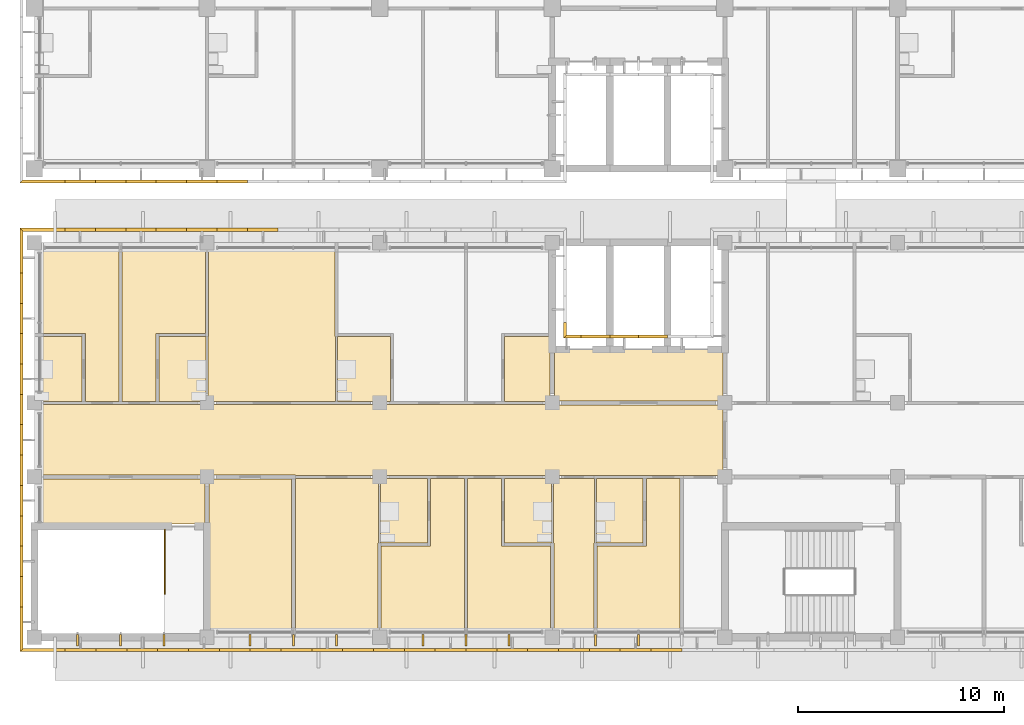
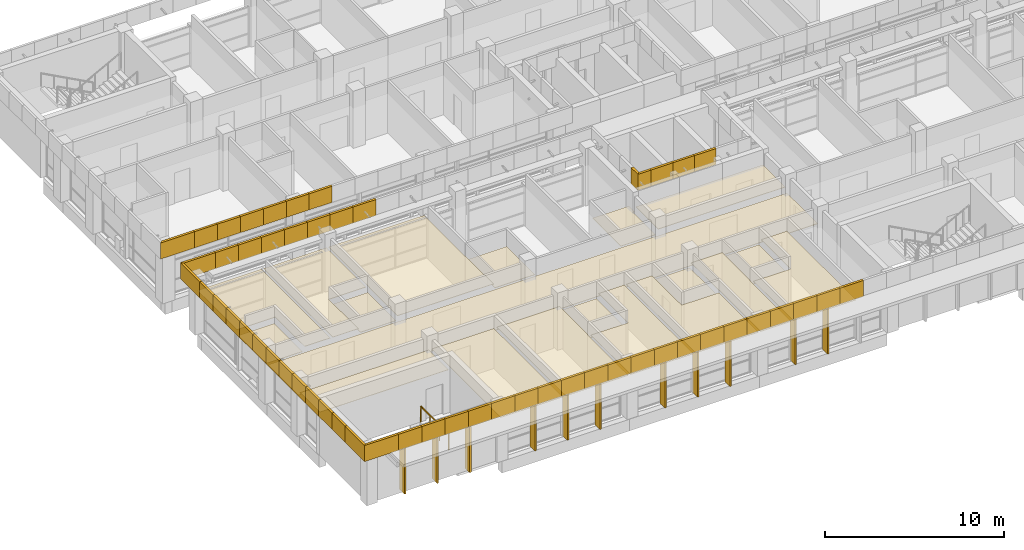
# One storey, part 59 of 71: 73 coverings, 11 shading devices, 1 railing.
"""IFC4 building model written with IfcOpenShell, lengths in metres."""

import ifcopenshell
import ifcopenshell.guid

model = None  # the IFC model being written
_history = None  # IfcOwnerHistory: only IFC2X3 demands one
_inside = {}  # id of a spatial element -> (the spatial element, [elements in it])
_under = {}  # id of a project, library or spatial element -> (it, [spatial elements below it])
_declared = {}  # id of a project -> (the project, [libraries it declares])
_typed = {}  # id of a type object -> (the type object, [elements of that type])
_made_of = {}  # id of a material, layer set ... -> (it, [elements and type objects made of it])


def new_model(schema):
    """Start an empty IFC model of exactly this schema.

    Asked for "IFC4X3", IfcOpenShell would pick the latest addendum, in which some entities
    have other attributes; the version numbers below select the first issue.
    IFC2X3 requires an IfcOwnerHistory on every rooted entity: one is made here for all.
    """
    global model, _history
    if schema == "IFC4X3":
        model = ifcopenshell.file(schema_version=(4, 3, 0, 0))
    else:
        model = ifcopenshell.file(schema=schema)
    _inside.clear()
    _under.clear()
    _declared.clear()
    _typed.clear()
    _made_of.clear()
    _history = None
    if model.schema == "IFC2X3":
        org = make("IfcOrganization", Name="unknown")
        user = make(
            "IfcPersonAndOrganization",
            ThePerson=make("IfcPerson", FamilyName="unknown"),
            TheOrganization=org,
        )
        app = make(
            "IfcApplication",
            ApplicationDeveloper=org,
            Version="unknown",
            ApplicationFullName="unknown",
            ApplicationIdentifier="unknown",
        )
        _history = make(
            "IfcOwnerHistory",
            OwningUser=user,
            OwningApplication=app,
            ChangeAction="ADDED",
            CreationDate=0,
        )
    return model


def make(cls, **values):
    """One entity of the class cls with the attributes given. An attribute that is None is left unset."""
    return model.create_entity(
        cls, **{name: value for name, value in values.items() if value is not None}
    )


def rooted(cls, **values):
    """An entity with a GlobalId (a new one), such as an element, a storey or a relation."""
    return make(cls, GlobalId=ifcopenshell.guid.new(), OwnerHistory=_history, **values)


def si_unit(unit_type, name, prefix=None):
    """IfcSIUnit, for example si_unit("LENGTHUNIT", "METRE", prefix="MILLI")."""
    return make("IfcSIUnit", UnitType=unit_type, Prefix=prefix, Name=name)


def assignment(units):
    """IfcUnitAssignment: the units of a project."""
    return None if units is None else make("IfcUnitAssignment", Units=units)


def point(xyz):
    """IfcCartesianPoint."""
    return None if xyz is None else make("IfcCartesianPoint", Coordinates=xyz)


def direction(xyz):
    """IfcDirection."""
    return None if xyz is None else make("IfcDirection", DirectionRatios=xyz)


def frame(location, z_axis=None, x_axis=None):
    """IfcAxis2Placement3D, a coordinate frame: its origin and axes. An axis left out is left unset."""
    return make(
        "IfcAxis2Placement3D",
        Location=point(location),
        Axis=direction(z_axis),
        RefDirection=direction(x_axis),
    )


def frame_2d(location, x_axis=None):
    """IfcAxis2Placement2D, a coordinate frame in the plane: its origin and x axis."""
    return make(
        "IfcAxis2Placement2D", Location=point(location), RefDirection=direction(x_axis)
    )


def origin():
    """The frame at (0, 0, 0) with its axes left unset."""
    return frame((0.0, 0.0, 0.0))


def origin_2d():
    """The frame at (0, 0) in the plane with its x axis left unset."""
    return frame_2d((0.0, 0.0))


def place(relative_to, where):
    """IfcLocalPlacement: puts the frame where relative to a parent placement (None: the world)."""
    return make(
        "IfcLocalPlacement", PlacementRelTo=relative_to, RelativePlacement=where
    )


def context(
    kind, dimensions, precision=None, world=None, true_north=None, identifier=None
):
    """IfcGeometricRepresentationContext, for example the 3D "Model" context."""
    return make(
        "IfcGeometricRepresentationContext",
        ContextIdentifier=identifier,
        ContextType=kind,
        CoordinateSpaceDimension=dimensions,
        Precision=precision,
        WorldCoordinateSystem=world,
        TrueNorth=true_north,
    )


def subcontext(parent, identifier, kind, view, scale=None):
    """IfcGeometricRepresentationSubContext, for example "Body" below "Model"."""
    return make(
        "IfcGeometricRepresentationSubContext",
        ContextIdentifier=identifier,
        ContextType=kind,
        ParentContext=parent,
        TargetScale=scale,
        TargetView=view,
    )


def project(units=None, contexts=None):
    """IfcProject with its units and contexts."""
    return rooted(
        "IfcProject",
        Name="project",
        RepresentationContexts=contexts,
        UnitsInContext=assignment(units),
    )


def spatial(cls, under=None, at=None, **own):
    """A site, building, storey or space (cls), placed at a placement, below another one or the project."""
    s = rooted(cls, ObjectPlacement=at, **own)
    if under is not None:
        _under.setdefault(under.id(), (under, []))[1].append(s)
    return s


def polyline(points):
    """IfcPolyline through the points."""
    return make("IfcPolyline", Points=[point(p) for p in points])


def profile(cls, at=None, kind="AREA", **sizes):
    """A parametric profile (cls). Its sizes go by their IFC names, for example OverallWidth=200.0."""
    return make(cls, ProfileType=kind, Position=at, **sizes)


def rectangle(**sizes):
    """IfcRectangleProfileDef."""
    return profile("IfcRectangleProfileDef", **sizes)


def circle(**sizes):
    """IfcCircleProfileDef."""
    return profile("IfcCircleProfileDef", **sizes)


def outline(outer, holes=None, kind="AREA"):
    """IfcArbitraryClosedProfileDef: a profile drawn as a closed curve; with holes, ...WithVoids."""
    if holes is None:
        return make("IfcArbitraryClosedProfileDef", ProfileType=kind, OuterCurve=outer)
    return make(
        "IfcArbitraryProfileDefWithVoids",
        ProfileType=kind,
        OuterCurve=outer,
        InnerCurves=holes,
    )


def extrude(swept, where, along, depth):
    """IfcExtrudedAreaSolid: the profile swept, set in the frame where, extruded along a direction by depth."""
    return make(
        "IfcExtrudedAreaSolid",
        SweptArea=swept,
        Position=where,
        ExtrudedDirection=direction(along),
        Depth=depth,
    )


def shape(context_of_items, identifier, shape_type, items):
    """IfcShapeRepresentation: the items that make up one representation, for example the "Body"."""
    return make(
        "IfcShapeRepresentation",
        ContextOfItems=context_of_items,
        RepresentationIdentifier=identifier,
        RepresentationType=shape_type,
        Items=items,
    )


def material(Name=None, Category=None):
    """IfcMaterial."""
    return make("IfcMaterial", Name=Name, Category=Category)


def layer(
    of_material, thickness, ventilated=None, Name=None, Category=None, Priority=None
):
    """IfcMaterialLayer: one layer of a wall or slab, of a material (None: an air gap)."""
    return make(
        "IfcMaterialLayer",
        Material=of_material,
        LayerThickness=thickness,
        IsVentilated=ventilated,
        Name=Name,
        Category=Category,
        Priority=Priority,
    )


def layer_set(layers, Name=None):
    """IfcMaterialLayerSet."""
    return make("IfcMaterialLayerSet", MaterialLayers=layers, LayerSetName=Name)


def material_profile(
    of_material, cross_section, Name=None, Category=None, Priority=None
):
    """IfcMaterialProfile: a cross section and its material."""
    return make(
        "IfcMaterialProfile",
        Name=Name,
        Material=of_material,
        Profile=cross_section,
        Priority=Priority,
        Category=Category,
    )


def profile_set(profiles, Name=None, composite=None):
    """IfcMaterialProfileSet."""
    return make(
        "IfcMaterialProfileSet",
        Name=Name,
        MaterialProfiles=profiles,
        CompositeProfile=composite,
    )


def made_of(thing, what):
    """Note that an element or type object is made of a material, layer set ...; save() writes the relation."""
    if what is not None:
        _made_of.setdefault(what.id(), (what, []))[1].append(thing)
    return thing


def type_object(cls, material=None, **own):
    """A type object (cls), such as IfcWallType, which elements share."""
    return made_of(rooted(cls, **own), material)


def element(
    cls,
    number,
    at=None,
    inside=None,
    cuts=None,
    type_object=None,
    material=None,
    context=None,
    identifier="Body",
    shape_type=None,
    held_by="IfcProductDefinitionShape",
    body=None,
    shapes=None,
    **own,
):
    """One element of the class cls, such as IfcWall. Its Tag is "e" and its number.

    at: its placement. inside: the storey or other place that contains it. cuts: it is an
    opening in that element (IfcRelVoidsElement). A single representation is given by context,
    identifier, shape_type and body (its items); several are given by shapes. held_by: the class
    of the entity that holds the representations. save() writes the other relations.
    """
    e = rooted(cls, Tag="e%d" % number, ObjectPlacement=at, **own)
    if body is not None:
        shapes = [shape(context, identifier, shape_type, body)]
    if shapes is not None:
        e.Representation = make(held_by, Representations=shapes)
    if inside is not None:
        _inside.setdefault(inside.id(), (inside, []))[1].append(e)
    if cuts is not None:
        rooted(
            "IfcRelVoidsElement", RelatingBuildingElement=cuts, RelatedOpeningElement=e
        )
    if type_object is not None:
        _typed.setdefault(type_object.id(), (type_object, []))[1].append(e)
    return made_of(e, material)


def aggregate(whole, parts):
    """IfcRelAggregates: a whole, such as a stair, and the parts it consists of."""
    return rooted("IfcRelAggregates", RelatingObject=whole, RelatedObjects=parts)


def save(model, path):
    """Write the relations noted so far, then the file.

    IfcRelAggregates (storeys below a building ...), IfcRelContainedInSpatialStructure (elements
    in a storey), IfcRelDefinesByType, IfcRelAssociatesMaterial and IfcRelDeclares: one each for
    every whole, place, type object, material and project.
    """
    for whole, parts in _under.values():
        aggregate(whole, parts)
    for where, things in _inside.values():
        rooted(
            "IfcRelContainedInSpatialStructure",
            RelatedElements=things,
            RelatingStructure=where,
        )
    for kind, things in _typed.values():
        rooted("IfcRelDefinesByType", RelatedObjects=things, RelatingType=kind)
    for what, things in _made_of.values():
        rooted("IfcRelAssociatesMaterial", RelatedObjects=things, RelatingMaterial=what)
    for by, libraries in _declared.values():
        rooted("IfcRelDeclares", RelatingContext=by, RelatedDefinitions=libraries)
    model.write(path)


model = new_model("IFC4")

# Units and contexts
model_context = context("Model", 3, precision=1e-05, world=origin(), true_north=direction((0.0, 1.0)))
body_context = subcontext(model_context, "Body", "Model", "MODEL_VIEW")
ifc_project = project(units=[si_unit("LENGTHUNIT", "METRE"), si_unit("AREAUNIT", "SQUARE_METRE"), si_unit("VOLUMEUNIT", "CUBIC_METRE"), si_unit("PLANEANGLEUNIT", "RADIAN"), si_unit("MASSUNIT", "GRAM", prefix="KILO")], contexts=[model_context])

# Site, building, storey
site_placement = place(None, origin())
site = spatial("IfcSite", under=ifc_project, at=site_placement, CompositionType="ELEMENT")
building_placement = place(site_placement, origin())
building = spatial("IfcBuilding", under=site, at=building_placement, Name="Bougainvillea Quay General Hospital", CompositionType="ELEMENT")
storey_placement = place(building_placement, frame((0.0, 0.0, 24.89990234375)))
storey = spatial("IfcBuildingStorey", under=building, at=storey_placement, Name="L05", CompositionType="ELEMENT", Elevation=24.89990234375)

# Coverings
ifc_material_1 = material(Name="Powder-coated aluminium fascia, white", Category="aluminium")
ifc_layer_1 = layer(ifc_material_1, 0.14990234375)
ifc_layer_set_1 = layer_set([ifc_layer_1], Name="Powder-coated aluminium fascia, white")
covering_type_1 = type_object("IfcCoveringType", Name="Aluminium fascia band white 150x1100", PredefinedType="CLADDING", material=ifc_layer_set_1)
covering_1_placement = place(storey_placement, frame((41.449951171875, 139.85009765625, 3.35009765625), z_axis=(0.0, 0.0, 1.0), x_axis=(1.0, 0.0, 0.0)))
element("IfcCovering", 1, at=covering_1_placement, inside=storey, type_object=covering_type_1, Name="Fascia band white e0 110", PredefinedType="CLADDING", context=body_context, shape_type="SweptSolid", body=[
    extrude(outline(polyline([(0.0, 0.0), (2.032470703125, 0.0), (2.032470703125, -0.150146484375), (-0.14990234375, -0.150146484375), (0.0, 0.0)])), origin(), (0.0, 0.0, 1.0), 1.10009765625),
])
covering_2_placement = place(storey_placement, frame((43.482421875, 139.85009765625, 3.35009765625), z_axis=(0.0, 0.0, 1.0), x_axis=(1.0, 0.0, 0.0)))
element("IfcCovering", 2, at=covering_2_placement, inside=storey, type_object=covering_type_1, Name="Fascia band white e0 111", PredefinedType="CLADDING", context=body_context, shape_type="SweptSolid", body=[
    extrude(outline(polyline([(0.0, 0.0), (1.482177734375, 0.0), (1.482177734375, -0.150146484375), (0.0, -0.150146484375), (0.0, 0.0)])), origin(), (0.0, 0.0, 1.0), 1.10009765625),
])
for number, where, z_axis, x_axis, name in (
    (3, (44.964599609375, 139.85009765625, 3.35009765625), (0.0, 0.0, 1.0), (1.0, 0.0, 0.0), "Fascia band white e0 112"),
    (4, (46.447021484375, 139.85009765625, 3.35009765625), (0.0, 0.0, 1.0), (1.0, 0.0, 0.0), "Fascia band white e0 113"),
    (5, (47.929443359375, 139.85009765625, 3.35009765625), (0.0, 0.0, 1.0), (1.0, 0.0, 0.0), "Fascia band white e0 114"),
):
    element("IfcCovering", number, at=place(storey_placement, frame(where, z_axis=z_axis, x_axis=x_axis)), inside=storey, type_object=covering_type_1, Name=name, PredefinedType="CLADDING", context=body_context, shape_type="SweptSolid", body=[
        extrude(outline(polyline([(0.0, 0.0), (1.482421875, 0.0), (1.482421875, -0.150146484375), (0.0, -0.150146484375), (0.0, 0.0)])), origin(), (0.0, 0.0, 1.0), 1.10009765625),
    ])
covering_3_placement = place(storey_placement, frame((49.411865234375, 139.85009765625, 3.35009765625), z_axis=(0.0, 0.0, 1.0), x_axis=(1.0, 0.0, 0.0)))
element("IfcCovering", 6, at=covering_3_placement, inside=storey, type_object=covering_type_1, Name="Fascia band white e0 115", PredefinedType="CLADDING", context=body_context, shape_type="SweptSolid", body=[
    extrude(outline(polyline([(0.0, 0.0), (1.482177734375, 0.0), (1.482177734375, -0.150146484375), (0.0, -0.150146484375), (0.0, 0.0)])), origin(), (0.0, 0.0, 1.0), 1.10009765625),
])
covering_4_placement = place(storey_placement, frame((50.89404296875, 139.85009765625, 3.35009765625), z_axis=(0.0, 0.0, 1.0), x_axis=(1.0, 0.0, 0.0)))
element("IfcCovering", 7, at=covering_4_placement, inside=storey, type_object=covering_type_1, Name="Fascia band white e0 116", PredefinedType="CLADDING", context=body_context, shape_type="SweptSolid", body=[
    extrude(outline(polyline([(0.0, 0.0), (1.482421875, 0.0), (1.482421875, -0.150146484375), (0.0, -0.150146484375), (0.0, 0.0)])), origin(), (0.0, 0.0, 1.0), 1.10009765625),
])
covering_5_placement = place(storey_placement, frame((41.449951171875, 137.35009765625, 3.35009765625), z_axis=(0.0, 0.0, 1.0), x_axis=(0.0, -1.0, 0.0)))
element("IfcCovering", 8, at=covering_5_placement, inside=storey, type_object=covering_type_1, Name="Fascia band white e0 1", PredefinedType="CLADDING", context=body_context, shape_type="SweptSolid", body=[
    extrude(outline(polyline([(0.0, 0.0), (2.027099609375, 0.0), (2.027099609375, -0.14990234375), (-0.14990234375, -0.14990234375), (0.0, 0.0)])), origin(), (0.0, 0.0, 1.0), 1.10009765625),
])
covering_6_placement = place(storey_placement, frame((41.449951171875, 135.322998046875, 3.35009765625), z_axis=(0.0, 0.0, 1.0), x_axis=(0.0, -1.0, 0.0)))
element("IfcCovering", 9, at=covering_6_placement, inside=storey, type_object=covering_type_1, Name="Fascia band white e0 2", PredefinedType="CLADDING", context=body_context, shape_type="SweptSolid", body=[
    extrude(outline(polyline([(0.0, 0.0), (1.476806640625, 0.0), (1.476806640625, -0.14990234375), (0.0, -0.14990234375), (0.0, 0.0)])), origin(), (0.0, 0.0, 1.0), 1.10009765625),
])
covering_7_placement = place(storey_placement, frame((41.449951171875, 133.84619140625, 3.35009765625), z_axis=(0.0, 0.0, 1.0), x_axis=(0.0, -1.0, 0.0)))
element("IfcCovering", 10, at=covering_7_placement, inside=storey, type_object=covering_type_1, Name="Fascia band white e0 3", PredefinedType="CLADDING", context=body_context, shape_type="SweptSolid", body=[
    extrude(outline(polyline([(0.0, 0.0), (1.47705078125, 0.0), (1.47705078125, -0.14990234375), (0.0, -0.14990234375), (0.0, 0.0)])), origin(), (0.0, 0.0, 1.0), 1.10009765625),
])
covering_8_placement = place(storey_placement, frame((41.449951171875, 132.369140625, 3.35009765625), z_axis=(0.0, 0.0, 1.0), x_axis=(0.0, -1.0, 0.0)))
element("IfcCovering", 11, at=covering_8_placement, inside=storey, type_object=covering_type_1, Name="Fascia band white e0 4", PredefinedType="CLADDING", context=body_context, shape_type="SweptSolid", body=[
    extrude(outline(polyline([(0.0, 0.0), (1.476806640625, 0.0), (1.476806640625, -0.14990234375), (0.0, -0.14990234375), (0.0, 0.0)])), origin(), (0.0, 0.0, 1.0), 1.10009765625),
])
covering_9_placement = place(storey_placement, frame((41.449951171875, 130.892333984375, 3.35009765625), z_axis=(0.0, 0.0, 1.0), x_axis=(0.0, -1.0, 0.0)))
element("IfcCovering", 12, at=covering_9_placement, inside=storey, type_object=covering_type_1, Name="Fascia band white e0 5", PredefinedType="CLADDING", context=body_context, shape_type="SweptSolid", body=[
    extrude(outline(polyline([(0.0, 0.0), (1.47705078125, 0.0), (1.47705078125, -0.14990234375), (0.0, -0.14990234375), (0.0, 0.0)])), origin(), (0.0, 0.0, 1.0), 1.10009765625),
])
covering_10_placement = place(storey_placement, frame((41.449951171875, 129.415283203125, 3.35009765625), z_axis=(0.0, 0.0, 1.0), x_axis=(0.0, -1.0, 0.0)))
element("IfcCovering", 13, at=covering_10_placement, inside=storey, type_object=covering_type_1, Name="Fascia band white e0 6", PredefinedType="CLADDING", context=body_context, shape_type="SweptSolid", body=[
    extrude(outline(polyline([(0.0, 0.0), (1.476806640625, 0.0), (1.476806640625, -0.14990234375), (0.0, -0.14990234375), (0.0, 0.0)])), origin(), (0.0, 0.0, 1.0), 1.10009765625),
])
covering_11_placement = place(storey_placement, frame((41.449951171875, 127.9384765625, 3.35009765625), z_axis=(0.0, 0.0, 1.0), x_axis=(0.0, -1.0, 0.0)))
element("IfcCovering", 14, at=covering_11_placement, inside=storey, type_object=covering_type_1, Name="Fascia band white e0 7", PredefinedType="CLADDING", context=body_context, shape_type="SweptSolid", body=[
    extrude(outline(polyline([(0.0, 0.0), (1.47705078125, 0.0), (1.47705078125, -0.14990234375), (0.0, -0.14990234375), (0.0, 0.0)])), origin(), (0.0, 0.0, 1.0), 1.10009765625),
])
for number, where, z_axis, x_axis, name in (
    (15, (41.449951171875, 126.46142578125, 3.35009765625), (0.0, 0.0, 1.0), (0.0, -1.0, 0.0), "Fascia band white e0 8"),
    (16, (41.449951171875, 124.984619140625, 3.35009765625), (0.0, 0.0, 1.0), (0.0, -1.0, 0.0), "Fascia band white e0 9"),
):
    element("IfcCovering", number, at=place(storey_placement, frame(where, z_axis=z_axis, x_axis=x_axis)), inside=storey, type_object=covering_type_1, Name=name, PredefinedType="CLADDING", context=body_context, shape_type="SweptSolid", body=[
        extrude(outline(polyline([(0.0, 0.0), (1.476806640625, 0.0), (1.476806640625, -0.14990234375), (0.0, -0.14990234375), (0.0, 0.0)])), origin(), (0.0, 0.0, 1.0), 1.10009765625),
    ])
covering_12_placement = place(storey_placement, frame((41.449951171875, 123.5078125, 3.35009765625), z_axis=(0.0, 0.0, 1.0), x_axis=(0.0, -1.0, 0.0)))
element("IfcCovering", 17, at=covering_12_placement, inside=storey, type_object=covering_type_1, Name="Fascia band white e0 10", PredefinedType="CLADDING", context=body_context, shape_type="SweptSolid", body=[
    extrude(outline(polyline([(0.0, 0.0), (1.47705078125, 0.0), (1.47705078125, -0.14990234375), (0.0, -0.14990234375), (0.0, 0.0)])), origin(), (0.0, 0.0, 1.0), 1.10009765625),
])
covering_13_placement = place(storey_placement, frame((41.449951171875, 122.03076171875, 3.35009765625), z_axis=(0.0, 0.0, 1.0), x_axis=(0.0, -1.0, 0.0)))
element("IfcCovering", 18, at=covering_13_placement, inside=storey, type_object=covering_type_1, Name="Fascia band white e0 11", PredefinedType="CLADDING", context=body_context, shape_type="SweptSolid", body=[
    extrude(outline(polyline([(0.0, 0.0), (1.476806640625, 0.0), (1.476806640625, -0.14990234375), (0.0, -0.14990234375), (0.0, 0.0)])), origin(), (0.0, 0.0, 1.0), 1.10009765625),
])
covering_14_placement = place(storey_placement, frame((41.449951171875, 120.553955078125, 3.35009765625), z_axis=(0.0, 0.0, 1.0), x_axis=(0.0, -1.0, 0.0)))
element("IfcCovering", 19, at=covering_14_placement, inside=storey, type_object=covering_type_1, Name="Fascia band white e0 12", PredefinedType="CLADDING", context=body_context, shape_type="SweptSolid", body=[
    extrude(outline(polyline([(0.0, 0.0), (1.47705078125, 0.0), (1.47705078125, -0.14990234375), (0.0, -0.14990234375), (0.0, 0.0)])), origin(), (0.0, 0.0, 1.0), 1.10009765625),
])
covering_15_placement = place(storey_placement, frame((41.449951171875, 119.076904296875, 3.35009765625), z_axis=(0.0, 0.0, 1.0), x_axis=(0.0, -1.0, 0.0)))
element("IfcCovering", 20, at=covering_15_placement, inside=storey, type_object=covering_type_1, Name="Fascia band white e0 13", PredefinedType="CLADDING", context=body_context, shape_type="SweptSolid", body=[
    extrude(outline(polyline([(0.0, 0.0), (2.02685546875, 0.0), (2.177001953125, -0.14990234375), (0.0, -0.14990234375), (0.0, 0.0)])), origin(), (0.0, 0.0, 1.0), 1.10009765625),
])
covering_16_placement = place(storey_placement, frame((41.449951171875, 117.050048828125, 3.35009765625), z_axis=(0.0, 0.0, 1.0), x_axis=(1.0, 0.0, 0.0)))
element("IfcCovering", 21, at=covering_16_placement, inside=storey, type_object=covering_type_1, Name="Fascia band white e0 14", PredefinedType="CLADDING", context=body_context, shape_type="SweptSolid", body=[
    extrude(outline(polyline([(0.0, 0.0), (2.050048828125, 0.0), (2.050048828125, -0.150146484375), (-0.14990234375, -0.150146484375), (0.0, 0.0)])), origin(), (0.0, 0.0, 1.0), 1.10009765625),
])
for number, where, z_axis, x_axis, name in (
    (22, (43.5, 117.050048828125, 3.35009765625), (0.0, 0.0, 1.0), (1.0, 0.0, 0.0), "Fascia band white e0 15"),
    (23, (45.0, 117.050048828125, 3.35009765625), (0.0, 0.0, 1.0), (1.0, 0.0, 0.0), "Fascia band white e0 16"),
    (24, (46.5, 117.050048828125, 3.35009765625), (0.0, 0.0, 1.0), (1.0, 0.0, 0.0), "Fascia band white e0 17"),
    (25, (48.0, 117.050048828125, 3.35009765625), (0.0, 0.0, 1.0), (1.0, 0.0, 0.0), "Fascia band white e0 18"),
    (26, (49.5, 117.050048828125, 3.35009765625), (0.0, 0.0, 1.0), (1.0, 0.0, 0.0), "Fascia band white e0 19"),
    (27, (51.0, 117.050048828125, 3.35009765625), (0.0, 0.0, 1.0), (1.0, 0.0, 0.0), "Fascia band white e0 20"),
    (28, (52.5, 117.050048828125, 3.35009765625), (0.0, 0.0, 1.0), (1.0, 0.0, 0.0), "Fascia band white e0 21"),
    (29, (54.0, 117.050048828125, 3.35009765625), (0.0, 0.0, 1.0), (1.0, 0.0, 0.0), "Fascia band white e0 22"),
    (30, (55.5, 117.050048828125, 3.35009765625), (0.0, 0.0, 1.0), (1.0, 0.0, 0.0), "Fascia band white e0 23"),
    (31, (57.0, 117.050048828125, 3.35009765625), (0.0, 0.0, 1.0), (1.0, 0.0, 0.0), "Fascia band white e0 24"),
    (32, (58.5, 117.050048828125, 3.35009765625), (0.0, 0.0, 1.0), (1.0, 0.0, 0.0), "Fascia band white e0 25"),
    (33, (60.0, 117.050048828125, 3.35009765625), (0.0, 0.0, 1.0), (1.0, 0.0, 0.0), "Fascia band white e0 26"),
    (34, (61.5, 117.050048828125, 3.35009765625), (0.0, 0.0, 1.0), (1.0, 0.0, 0.0), "Fascia band white e0 27"),
    (35, (63.0, 117.050048828125, 3.35009765625), (0.0, 0.0, 1.0), (1.0, 0.0, 0.0), "Fascia band white e0 28"),
    (36, (64.5, 117.050048828125, 3.35009765625), (0.0, 0.0, 1.0), (1.0, 0.0, 0.0), "Fascia band white e0 29"),
    (37, (66.0, 117.050048828125, 3.35009765625), (0.0, 0.0, 1.0), (1.0, 0.0, 0.0), "Fascia band white e0 30"),
    (38, (67.5, 117.050048828125, 3.35009765625), (0.0, 0.0, 1.0), (1.0, 0.0, 0.0), "Fascia band white e0 31"),
    (39, (69.0, 117.050048828125, 3.35009765625), (0.0, 0.0, 1.0), (1.0, 0.0, 0.0), "Fascia band white e0 32"),
    (40, (70.5, 117.050048828125, 3.35009765625), (0.0, 0.0, 1.0), (1.0, 0.0, 0.0), "Fascia band white e0 33"),
    (41, (72.0, 117.050048828125, 3.35009765625), (0.0, 0.0, 1.0), (1.0, 0.0, 0.0), "Fascia band white e0 34"),
):
    element("IfcCovering", number, at=place(storey_placement, frame(where, z_axis=z_axis, x_axis=x_axis)), inside=storey, type_object=covering_type_1, Name=name, PredefinedType="CLADDING", context=body_context, shape_type="SweptSolid", body=[
        extrude(outline(polyline([(0.0, 0.0), (1.5, 0.0), (1.5, -0.150146484375), (0.0, -0.150146484375), (0.0, 0.0)])), origin(), (0.0, 0.0, 1.0), 1.10009765625),
    ])
covering_17_placement = place(storey_placement, frame((72.800048828125, 132.14990234375, 3.35009765625), z_axis=(0.0, 0.0, 1.0), x_axis=(-1.0, 0.0, 0.0)))
element("IfcCovering", 42, at=covering_17_placement, inside=storey, type_object=covering_type_1, Name="Fascia band white e0 188", PredefinedType="CLADDING", context=body_context, shape_type="SweptSolid", body=[
    extrude(outline(polyline([(0.0, 0.0), (1.400146484375, 0.0), (1.400146484375, -0.150146484375), (0.0, -0.150146484375), (0.0, 0.0)])), origin(), (0.0, 0.0, 1.0), 1.10009765625),
])
for number, where, z_axis, x_axis, name in (
    (43, (71.39990234375, 132.14990234375, 3.35009765625), (0.0, 0.0, 1.0), (-1.0, 0.0, 0.0), "Fascia band white e0 189"),
    (44, (70.0, 132.14990234375, 3.35009765625), (0.0, 0.0, 1.0), (-1.0, 0.0, 0.0), "Fascia band white e0 190"),
):
    element("IfcCovering", number, at=place(storey_placement, frame(where, z_axis=z_axis, x_axis=x_axis)), inside=storey, type_object=covering_type_1, Name=name, PredefinedType="CLADDING", context=body_context, shape_type="SweptSolid", body=[
        extrude(outline(polyline([(0.0, 0.0), (1.39990234375, 0.0), (1.39990234375, -0.150146484375), (0.0, -0.150146484375), (0.0, 0.0)])), origin(), (0.0, 0.0, 1.0), 1.10009765625),
    ])
covering_18_placement = place(storey_placement, frame((68.60009765625, 132.14990234375, 3.35009765625), z_axis=(0.0, 0.0, 1.0), x_axis=(-1.0, 0.0, 0.0)))
element("IfcCovering", 45, at=covering_18_placement, inside=storey, type_object=covering_type_1, Name="Fascia band white e0 191", PredefinedType="CLADDING", context=body_context, shape_type="SweptSolid", body=[
    extrude(outline(polyline([(0.0, 0.0), (0.85009765625, 0.0), (0.7001953125, -0.150146484375), (0.0, -0.150146484375), (0.0, 0.0)])), origin(), (0.0, 0.0, 1.0), 1.10009765625),
])
covering_19_placement = place(storey_placement, frame((67.75, 132.14990234375, 3.35009765625), z_axis=(0.0, 0.0, 1.0), x_axis=(0.0, 1.0, 0.0)))
element("IfcCovering", 46, at=covering_19_placement, inside=storey, type_object=covering_type_1, Name="Fascia band white e0 192", PredefinedType="CLADDING", context=body_context, shape_type="SweptSolid", body=[
    extrude(outline(polyline([(0.0, 0.0), (0.75, 0.0), (0.75, -0.14990234375), (0.150146484375, -0.14990234375), (0.0, 0.0)])), origin(), (0.0, 0.0, 1.0), 1.10009765625),
])
for number, where, z_axis, x_axis, name in (
    (47, (53.85888671875, 137.35009765625, 3.35009765625), (0.0, 0.0, 1.0), (-1.0, 0.0, 0.0), "Fascia band white e0 205"),
    (48, (52.37646484375, 137.35009765625, 3.35009765625), (0.0, 0.0, 1.0), (-1.0, 0.0, 0.0), "Fascia band white e0 206"),
):
    element("IfcCovering", number, at=place(storey_placement, frame(where, z_axis=z_axis, x_axis=x_axis)), inside=storey, type_object=covering_type_1, Name=name, PredefinedType="CLADDING", context=body_context, shape_type="SweptSolid", body=[
        extrude(outline(polyline([(0.0, 0.0), (1.482421875, 0.0), (1.482421875, -0.14990234375), (0.0, -0.14990234375), (0.0, 0.0)])), origin(), (0.0, 0.0, 1.0), 1.10009765625),
    ])
covering_20_placement = place(storey_placement, frame((50.89404296875, 137.35009765625, 3.35009765625), z_axis=(0.0, 0.0, 1.0), x_axis=(-1.0, 0.0, 0.0)))
element("IfcCovering", 49, at=covering_20_placement, inside=storey, type_object=covering_type_1, Name="Fascia band white e0 207", PredefinedType="CLADDING", context=body_context, shape_type="SweptSolid", body=[
    extrude(outline(polyline([(0.0, 0.0), (1.482177734375, 0.0), (1.482177734375, -0.14990234375), (0.0, -0.14990234375), (0.0, 0.0)])), origin(), (0.0, 0.0, 1.0), 1.10009765625),
])
for number, where, z_axis, x_axis, name in (
    (50, (49.411865234375, 137.35009765625, 3.35009765625), (0.0, 0.0, 1.0), (-1.0, 0.0, 0.0), "Fascia band white e0 208"),
    (51, (47.929443359375, 137.35009765625, 3.35009765625), (0.0, 0.0, 1.0), (-1.0, 0.0, 0.0), "Fascia band white e0 209"),
    (52, (46.447021484375, 137.35009765625, 3.35009765625), (0.0, 0.0, 1.0), (-1.0, 0.0, 0.0), "Fascia band white e0 210"),
):
    element("IfcCovering", number, at=place(storey_placement, frame(where, z_axis=z_axis, x_axis=x_axis)), inside=storey, type_object=covering_type_1, Name=name, PredefinedType="CLADDING", context=body_context, shape_type="SweptSolid", body=[
        extrude(outline(polyline([(0.0, 0.0), (1.482421875, 0.0), (1.482421875, -0.14990234375), (0.0, -0.14990234375), (0.0, 0.0)])), origin(), (0.0, 0.0, 1.0), 1.10009765625),
    ])
covering_21_placement = place(storey_placement, frame((44.964599609375, 137.35009765625, 3.35009765625), z_axis=(0.0, 0.0, 1.0), x_axis=(-1.0, 0.0, 0.0)))
element("IfcCovering", 53, at=covering_21_placement, inside=storey, type_object=covering_type_1, Name="Fascia band white e0 211", PredefinedType="CLADDING", context=body_context, shape_type="SweptSolid", body=[
    extrude(outline(polyline([(0.0, 0.0), (1.482177734375, 0.0), (1.482177734375, -0.14990234375), (0.0, -0.14990234375), (0.0, 0.0)])), origin(), (0.0, 0.0, 1.0), 1.10009765625),
])
covering_22_placement = place(storey_placement, frame((43.482421875, 137.35009765625, 3.35009765625), z_axis=(0.0, 0.0, 1.0), x_axis=(-1.0, 0.0, 0.0)))
element("IfcCovering", 54, at=covering_22_placement, inside=storey, type_object=covering_type_1, Name="Fascia band white e0 212", PredefinedType="CLADDING", context=body_context, shape_type="SweptSolid", body=[
    extrude(outline(polyline([(0.0, 0.0), (2.032470703125, 0.0), (2.182373046875, -0.14990234375), (0.0, -0.14990234375), (0.0, 0.0)])), origin(), (0.0, 0.0, 1.0), 1.10009765625),
])

# Railing
ifc_material_2 = material(Name="Stainless steel 304 balustrade", Category="steel")
railing_type = type_object("IfcRailingType", Name="Stair guard 1100", PredefinedType="GUARDRAIL", material=ifc_material_2)
railing_placement = place(storey_placement, frame((48.35009765625, 122.824951171875, 0.0)))
element("IfcRailing", 55, at=railing_placement, inside=storey, type_object=railing_type, Name="L05 ST-B1 top well guard 1", PredefinedType="GUARDRAIL", context=body_context, shape_type="SweptSolid", body=[
    extrude(circle(Radius=0.02392578125, at=origin_2d()), frame((0.0, 0.0, 1.076171875), z_axis=(0.0, -1.0, 0.0), x_axis=(1.0, 0.0, 0.0)), (0.0, 0.0, 1.0), 3.125),
    extrude(circle(Radius=0.02099609375, at=origin_2d()), origin(), (0.0, 0.0, 1.0), 1.052001953125),
    extrude(circle(Radius=0.02099609375, at=origin_2d()), frame((0.0, -1.041748046875, 0.0)), (0.0, 0.0, 1.0), 1.052001953125),
    extrude(circle(Radius=0.02099609375, at=origin_2d()), frame((0.0, -2.083251953125, 0.0)), (0.0, 0.0, 1.0), 1.052001953125),
    extrude(circle(Radius=0.02099609375, at=origin_2d()), frame((0.0, -3.125, 0.0)), (0.0, 0.0, 1.0), 1.052001953125),
])

# Coverings
ifc_material_3 = material(Name="Mineral fibre ceiling tile")
ifc_layer_2 = layer(ifc_material_3, 0.030029296875)
ifc_layer_set_2 = layer_set([ifc_layer_2], Name="Mineral fibre ceiling tile")
covering_type_2 = type_object("IfcCoveringType", Name="Suspended ceiling mineral fibre tile", PredefinedType="CEILING", material=ifc_layer_set_2)
covering_23_placement = place(storey_placement, frame((0.0, 0.0, 2.7001953125)))
element("IfcCovering", 56, at=covering_23_placement, inside=storey, type_object=covering_type_2, Name="Ceiling Lift Lobby LB-B1 (Fire-fighting)", PredefinedType="CEILING", context=body_context, shape_type="SweptSolid", body=[
    extrude(outline(polyline([(67.300048828125, 131.60009765625), (67.300048828125, 129.10009765625), (75.5, 129.10009765625), (75.5, 131.60009765625), (67.300048828125, 131.60009765625)])), origin(), (0.0, 0.0, 1.0), 0.02978515625),
])
covering_24_placement = place(storey_placement, frame((0.0, 0.0, 2.7001953125)))
element("IfcCovering", 57, at=covering_24_placement, inside=storey, type_object=covering_type_2, Name="Ceiling Refuge Room RR-B1-L05", PredefinedType="CEILING", context=body_context, shape_type="SweptSolid", body=[
    extrude(outline(polyline([(54.5, 117.60009765625), (54.5, 125.300048828125), (50.5, 125.300048828125), (50.5, 117.60009765625), (54.5, 117.60009765625)])), origin(), (0.0, 0.0, 1.0), 0.02978515625),
])
covering_25_placement = place(storey_placement, frame((0.0, 0.0, 2.7001953125)))
element("IfcCovering", 58, at=covering_25_placement, inside=storey, type_object=covering_type_2, Name="Ceiling Smoke-proof Vestibule ST-B1", PredefinedType="CEILING", context=body_context, shape_type="SweptSolid", body=[
    extrude(outline(polyline([(42.0, 123.10009765625), (50.300048828125, 123.10009765625), (50.300048828125, 125.300048828125), (42.0, 125.300048828125), (42.0, 123.10009765625)])), origin(), (0.0, 0.0, 1.0), 0.02978515625),
])
covering_26_placement = place(storey_placement, frame((0.0, 0.0, 2.7001953125)))
element("IfcCovering", 59, at=covering_26_placement, inside=storey, type_object=covering_type_2, Name="Ceiling Patient Room 05B01", PredefinedType="CEILING", context=body_context, shape_type="SweptSolid", body=[
    extrude(outline(polyline([(42.0, 136.800048828125), (42.0, 132.375), (44.47509765625, 132.375), (44.47509765625, 129.074951171875), (46.125, 129.074951171875), (46.125, 136.800048828125), (42.0, 136.800048828125)])), origin(), (0.0, 0.0, 1.0), 0.02978515625),
])
covering_27_placement = place(storey_placement, frame((0.0, 0.0, 2.400146484375)))
element("IfcCovering", 60, at=covering_27_placement, inside=storey, type_object=covering_type_2, Name="Ceiling En-suite 05B01", PredefinedType="CEILING", context=body_context, shape_type="SweptSolid", body=[
    extrude(outline(polyline([(42.0, 129.074951171875), (44.324951171875, 129.074951171875), (44.324951171875, 132.22509765625), (42.0, 132.22509765625), (42.0, 129.074951171875)])), origin(), (0.0, 0.0, 1.0), 0.030029296875),
])
covering_28_placement = place(storey_placement, frame((0.0, 0.0, 2.7001953125)))
element("IfcCovering", 61, at=covering_28_placement, inside=storey, type_object=covering_type_2, Name="Ceiling Patient Room 05B02", PredefinedType="CEILING", context=body_context, shape_type="SweptSolid", body=[
    extrude(outline(polyline([(46.27490234375, 136.800048828125), (46.27490234375, 129.074951171875), (47.925048828125, 129.074951171875), (47.925048828125, 132.375), (50.324951171875, 132.375), (50.324951171875, 136.800048828125), (46.27490234375, 136.800048828125)])), origin(), (0.0, 0.0, 1.0), 0.02978515625),
])
covering_29_placement = place(storey_placement, frame((0.0, 0.0, 2.400146484375)))
element("IfcCovering", 62, at=covering_29_placement, inside=storey, type_object=covering_type_2, Name="Ceiling En-suite 05B02", PredefinedType="CEILING", context=body_context, shape_type="SweptSolid", body=[
    extrude(outline(polyline([(48.074951171875, 132.22509765625), (48.074951171875, 129.074951171875), (50.35009765625, 129.074951171875), (50.35009765625, 132.22509765625), (48.074951171875, 132.22509765625)])), origin(), (0.0, 0.0, 1.0), 0.030029296875),
])
covering_30_placement = place(storey_placement, frame((0.0, 0.0, 2.7001953125)))
element("IfcCovering", 63, at=covering_30_placement, inside=storey, type_object=covering_type_2, Name="Ceiling Nurses' Station 05B03", PredefinedType="CEILING", context=body_context, shape_type="SweptSolid", body=[
    extrude(outline(polyline([(50.47509765625, 136.800048828125), (50.47509765625, 132.22509765625), (50.449951171875, 132.22509765625), (50.449951171875, 129.074951171875), (56.64990234375, 129.074951171875), (56.64990234375, 132.22509765625), (56.625, 132.22509765625), (56.625, 136.800048828125), (50.47509765625, 136.800048828125)])), origin(), (0.0, 0.0, 1.0), 0.02978515625),
])
covering_31_placement = place(storey_placement, frame((0.0, 0.0, 2.400146484375)))
element("IfcCovering", 64, at=covering_31_placement, inside=storey, type_object=covering_type_2, Name="Ceiling En-suite 05B04", PredefinedType="CEILING", context=body_context, shape_type="SweptSolid", body=[
    extrude(outline(polyline([(56.75, 129.074951171875), (59.324951171875, 129.074951171875), (59.324951171875, 132.22509765625), (56.75, 132.22509765625), (56.75, 129.074951171875)])), origin(), (0.0, 0.0, 1.0), 0.030029296875),
])
covering_32_placement = place(storey_placement, frame((0.0, 0.0, 2.400146484375)))
element("IfcCovering", 65, at=covering_32_placement, inside=storey, type_object=covering_type_2, Name="Ceiling En-suite 05B05", PredefinedType="CEILING", context=body_context, shape_type="SweptSolid", body=[
    extrude(outline(polyline([(67.199951171875, 132.22509765625), (64.875, 132.22509765625), (64.875, 129.074951171875), (67.10009765625, 129.074951171875), (67.10009765625, 131.60009765625), (67.199951171875, 131.60009765625), (67.199951171875, 132.22509765625)])), origin(), (0.0, 0.0, 1.0), 0.030029296875),
])
covering_33_placement = place(storey_placement, frame((0.0, 0.0, 2.7001953125)))
element("IfcCovering", 66, at=covering_33_placement, inside=storey, type_object=covering_type_2, Name="Ceiling Treatment and Clean Utility Room 05B06", PredefinedType="CEILING", context=body_context, shape_type="SweptSolid", body=[
    extrude(outline(polyline([(58.72509765625, 117.60009765625), (58.72509765625, 122.175048828125), (58.75, 122.175048828125), (58.75, 125.324951171875), (54.699951171875, 125.324951171875), (54.699951171875, 117.60009765625), (58.72509765625, 117.60009765625)])), origin(), (0.0, 0.0, 1.0), 0.02978515625),
])
covering_34_placement = place(storey_placement, frame((0.0, 0.0, 2.7001953125)))
element("IfcCovering", 67, at=covering_34_placement, inside=storey, type_object=covering_type_2, Name="Ceiling Patient Room 05B07", PredefinedType="CEILING", context=body_context, shape_type="SweptSolid", body=[
    extrude(outline(polyline([(62.925048828125, 117.60009765625), (62.925048828125, 125.324951171875), (61.27490234375, 125.324951171875), (61.27490234375, 122.02490234375), (58.875, 122.02490234375), (58.875, 117.60009765625), (62.925048828125, 117.60009765625)])), origin(), (0.0, 0.0, 1.0), 0.02978515625),
])
covering_35_placement = place(storey_placement, frame((0.0, 0.0, 2.400146484375)))
element("IfcCovering", 68, at=covering_35_placement, inside=storey, type_object=covering_type_2, Name="Ceiling En-suite 05B07", PredefinedType="CEILING", context=body_context, shape_type="SweptSolid", body=[
    extrude(outline(polyline([(58.85009765625, 122.175048828125), (61.125, 122.175048828125), (61.125, 125.324951171875), (58.85009765625, 125.324951171875), (58.85009765625, 122.175048828125)])), origin(), (0.0, 0.0, 1.0), 0.030029296875),
])
covering_36_placement = place(storey_placement, frame((0.0, 0.0, 2.7001953125)))
element("IfcCovering", 69, at=covering_36_placement, inside=storey, type_object=covering_type_2, Name="Ceiling Patient Room 05B08", PredefinedType="CEILING", context=body_context, shape_type="SweptSolid", body=[
    extrude(outline(polyline([(67.125, 117.60009765625), (67.125, 122.02490234375), (64.72509765625, 122.02490234375), (64.72509765625, 125.324951171875), (63.074951171875, 125.324951171875), (63.074951171875, 117.60009765625), (67.125, 117.60009765625)])), origin(), (0.0, 0.0, 1.0), 0.02978515625),
])
covering_37_placement = place(storey_placement, frame((0.0, 0.0, 2.400146484375)))
element("IfcCovering", 70, at=covering_37_placement, inside=storey, type_object=covering_type_2, Name="Ceiling En-suite 05B08", PredefinedType="CEILING", context=body_context, shape_type="SweptSolid", body=[
    extrude(outline(polyline([(64.875, 122.175048828125), (67.14990234375, 122.175048828125), (67.14990234375, 125.324951171875), (64.875, 125.324951171875), (64.875, 122.175048828125)])), origin(), (0.0, 0.0, 1.0), 0.030029296875),
])
covering_38_placement = place(storey_placement, frame((0.0, 0.0, 2.7001953125)))
element("IfcCovering", 71, at=covering_38_placement, inside=storey, type_object=covering_type_2, Name="Ceiling Dirty Utility and Sluice Room 05B09", PredefinedType="CEILING", context=body_context, shape_type="SweptSolid", body=[
    extrude(outline(polyline([(69.22509765625, 117.60009765625), (69.22509765625, 122.175048828125), (69.25, 122.175048828125), (69.25, 125.324951171875), (67.25, 125.324951171875), (67.25, 122.175048828125), (67.27490234375, 122.175048828125), (67.27490234375, 117.60009765625), (69.22509765625, 117.60009765625)])), origin(), (0.0, 0.0, 1.0), 0.02978515625),
])
covering_39_placement = place(storey_placement, frame((0.0, 0.0, 2.7001953125)))
element("IfcCovering", 72, at=covering_39_placement, inside=storey, type_object=covering_type_2, Name="Ceiling Patient Room 05B10", PredefinedType="CEILING", context=body_context, shape_type="SweptSolid", body=[
    extrude(outline(polyline([(73.425048828125, 117.60009765625), (73.425048828125, 125.324951171875), (71.77490234375, 125.324951171875), (71.77490234375, 122.02490234375), (69.375, 122.02490234375), (69.375, 117.60009765625), (73.425048828125, 117.60009765625)])), origin(), (0.0, 0.0, 1.0), 0.02978515625),
])
covering_40_placement = place(storey_placement, frame((0.0, 0.0, 2.400146484375)))
element("IfcCovering", 73, at=covering_40_placement, inside=storey, type_object=covering_type_2, Name="Ceiling En-suite 05B10", PredefinedType="CEILING", context=body_context, shape_type="SweptSolid", body=[
    extrude(outline(polyline([(69.35009765625, 125.324951171875), (69.35009765625, 122.175048828125), (71.625, 122.175048828125), (71.625, 125.324951171875), (69.35009765625, 125.324951171875)])), origin(), (0.0, 0.0, 1.0), 0.030029296875),
])
covering_41_placement = place(storey_placement, frame((0.0, 0.0, 2.400146484375)))
element("IfcCovering", 74, at=covering_41_placement, inside=storey, type_object=covering_type_2, Name="Ceiling Ward Corridor B1", PredefinedType="CEILING", context=body_context, shape_type="SweptSolid", body=[
    extrude(outline(polyline([(42.0, 125.5), (54.699951171875, 125.5), (54.699951171875, 125.47509765625), (75.5, 125.47509765625), (75.5, 128.89990234375), (67.10009765625, 128.89990234375), (67.10009765625, 128.925048828125), (42.0, 128.925048828125), (42.0, 125.5)])), origin(), (0.0, 0.0, 1.0), 0.030029296875),
])

# Shading devices
ifc_material_4 = material(Name="Powder-coated aluminium fin, white", Category="aluminium")
ifc_material_profile = material_profile(ifc_material_4, rectangle(XDim=0.550048828125, YDim=0.10009765625, at=origin_2d()))
ifc_profile_set = profile_set([ifc_material_profile], Name="Powder-coated aluminium fin, white")
shading_device_type = type_object("IfcShadingDeviceType", Name="Vertical fin 550x100", PredefinedType="USERDEFINED", material=ifc_profile_set)
for number, where, z_axis, x_axis, name in (
    (75, (71.39990234375, 117.455078125, 0.0), (0.0, 0.0, 1.0), (0.0, -1.0, 0.0), "Vertical fin V5B L05 01.35"),
    (76, (69.300048828125, 117.455078125, 0.0), (0.0, 0.0, 1.0), (0.0, -1.0, 0.0), "Vertical fin V5B L05 01.36"),
    (77, (65.10009765625, 117.455078125, 0.0), (0.0, 0.0, 1.0), (0.0, -1.0, 0.0), "Vertical fin V5B L05 01.37"),
    (78, (63.0, 117.455078125, 0.0), (0.0, 0.0, 1.0), (0.0, -1.0, 0.0), "Vertical fin V5B L05 01.38"),
    (79, (60.89990234375, 117.455078125, 0.0), (0.0, 0.0, 1.0), (0.0, -1.0, 0.0), "Vertical fin V5B L05 01.39"),
    (80, (56.699951171875, 117.455078125, 0.0), (0.0, 0.0, 1.0), (0.0, -1.0, 0.0), "Vertical fin V5B L05 01.40"),
    (81, (54.60009765625, 117.455078125, 0.0), (0.0, 0.0, 1.0), (0.0, -1.0, 0.0), "Vertical fin V5B L05 01.41"),
    (82, (52.5, 117.455078125, 0.0), (0.0, 0.0, 1.0), (0.0, -1.0, 0.0), "Vertical fin V5B L05 01.42"),
    (83, (48.300048828125, 117.455078125, 0.0), (0.0, 0.0, 1.0), (0.0, -1.0, 0.0), "Vertical fin V5B L05 01.43"),
    (84, (46.199951171875, 117.455078125, 0.0), (0.0, 0.0, 1.0), (0.0, -1.0, 0.0), "Vertical fin V5B L05 01.44"),
    (85, (44.10009765625, 117.455078125, 0.0), (0.0, 0.0, 1.0), (0.0, -1.0, 0.0), "Vertical fin V5B L05 01.45"),
):
    element("IfcShadingDevice", number, at=place(storey_placement, frame(where, z_axis=z_axis, x_axis=x_axis)), inside=storey, type_object=shading_device_type, Name=name, ObjectType="Vertical fin", PredefinedType="USERDEFINED", context=body_context, shape_type="SweptSolid", body=[
        extrude(rectangle(XDim=0.550048828125, YDim=0.10009765625, at=origin_2d()), origin(), (0.0, 0.0, 1.0), 3.330078125),
    ])

save(model, "model.ifc")
